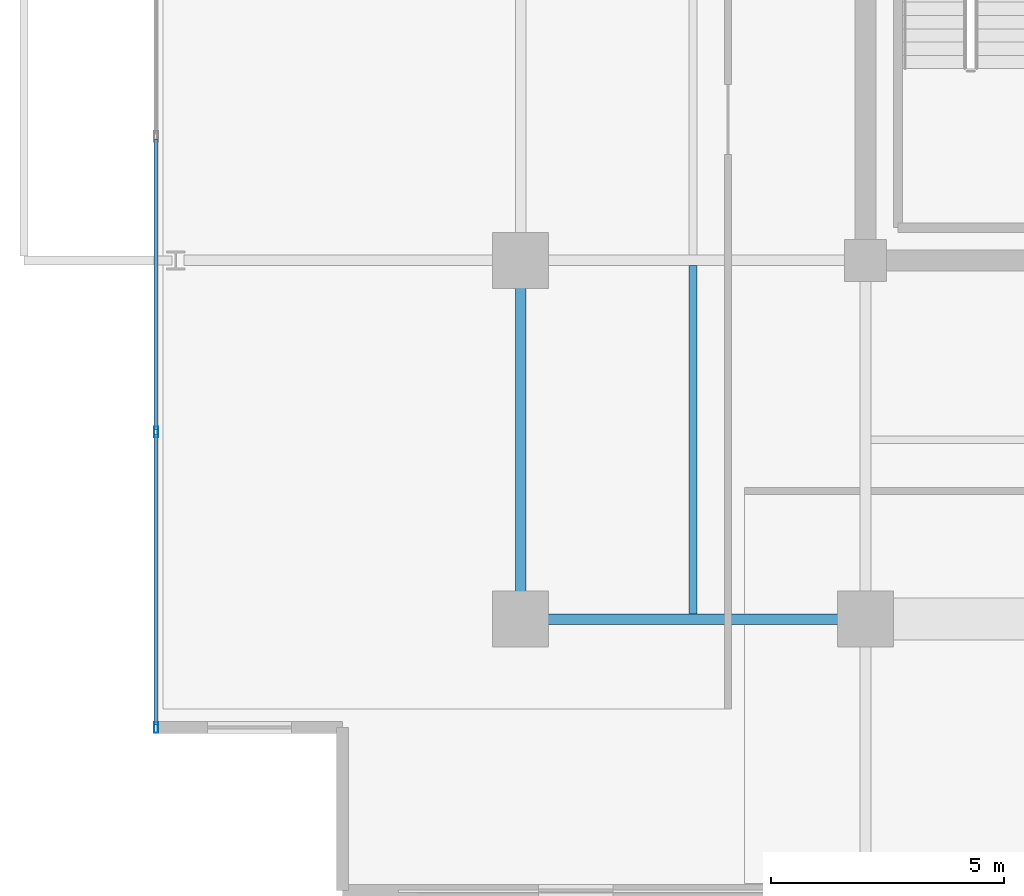
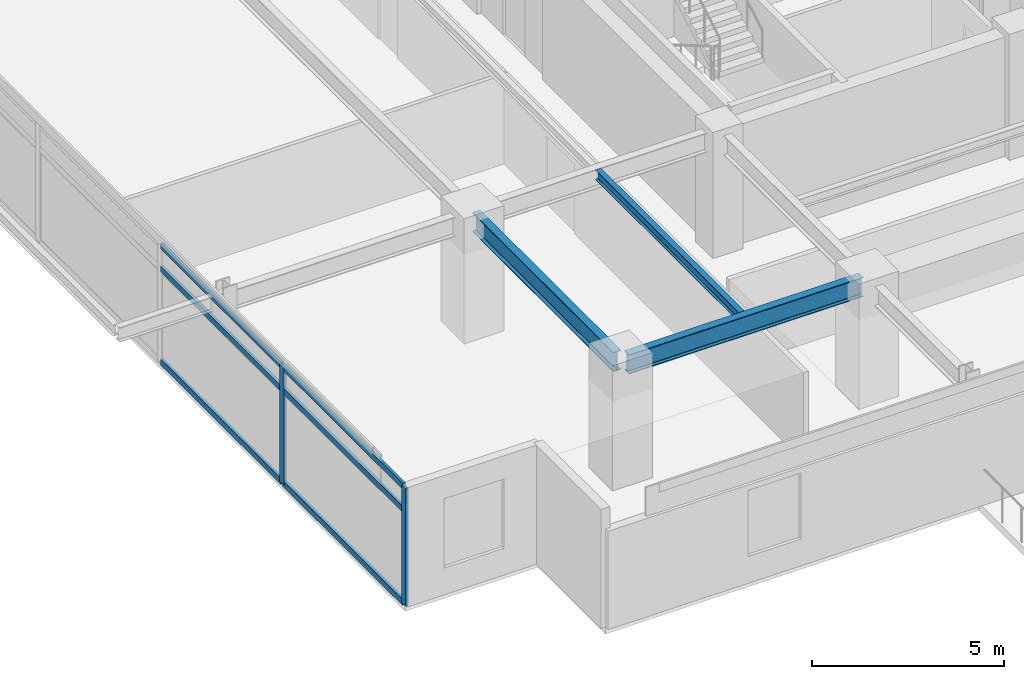
# One storey, part 2 of 23: 8 members, 3 beams, 1 element without a shape of its own.
"""IFC4 building model written with IfcOpenShell, lengths in metres."""

from ifc_helpers import new_model, si_unit, direction, frame, origin, origin_2d, place, context, subcontext, project, spatial, hollow_rectangle, i_section, extrude, material, material_profile, profile_set, type_object, element, aggregate, save


model = new_model("IFC4")

# Units and contexts
model_context = context("Model", 3, precision=1e-05, world=origin(), true_north=direction((0.0, 1.0)))
body_context = subcontext(model_context, "Body", "Model", "MODEL_VIEW")
ifc_project = project(units=[si_unit("LENGTHUNIT", "METRE"), si_unit("AREAUNIT", "SQUARE_METRE"), si_unit("VOLUMEUNIT", "CUBIC_METRE"), si_unit("PLANEANGLEUNIT", "RADIAN"), si_unit("MASSUNIT", "GRAM", prefix="KILO")], contexts=[model_context])

# Site, building, storey
site_placement = place(None, origin())
site = spatial("IfcSite", under=ifc_project, at=site_placement, CompositionType="ELEMENT")
building_placement = place(site_placement, origin())
building = spatial("IfcBuilding", under=site, at=building_placement, Name="Kovane Verandah Tower", CompositionType="ELEMENT")
storey_placement = place(building_placement, frame((0.0, 0.0, 267.199951171875)))
storey = spatial("IfcBuildingStorey", under=building, at=storey_placement, Name="L62", CompositionType="ELEMENT", Elevation=267.199951171875)

# Beams
ifc_material_1 = material(Name="Steel S355", Category="steel")
ifc_material_profile_1 = material_profile(ifc_material_1, i_section(OverallWidth=0.230224609375, OverallDepth=0.6171875, WebThickness=0.01318359375, FlangeThickness=0.022216796875, FilletRadius=0.0126953125, at=origin_2d()), Name="UB610x229x140")
ifc_profile_set_1 = profile_set([ifc_material_profile_1], Name="Steel S355")
beam_type_1 = type_object("IfcBeamType", Name="BM-UB610x140", PredefinedType="BEAM", material=ifc_profile_set_1)
beam_1_placement = place(storey_placement, frame((21.780029296875, 10.800048828125, 3.4765625), z_axis=(1.0, 0.0, 0.0), x_axis=(0.0, 1.0, 0.0)))
element("IfcBeam", 1, at=beam_1_placement, inside=storey, type_object=beam_type_1, Name="L62 Primary Tower Girder G-RS1", PredefinedType="BEAM", context=body_context, shape_type="SweptSolid", body=[
    extrude(i_section(OverallWidth=0.230224609375, OverallDepth=0.6171875, WebThickness=0.01318359375, FlangeThickness=0.022216796875, FilletRadius=0.0126953125, at=origin_2d()), origin(), (0.0, 0.0, 1.0), 7.0400390625),
])
beam_2_placement = place(storey_placement, frame((21.60009765625, 10.97998046875, 3.4765625), z_axis=(0.0, 1.0, 0.0), x_axis=(-1.0, 0.0, 0.0)))
element("IfcBeam", 2, at=beam_2_placement, inside=storey, type_object=beam_type_1, Name="L62 Primary Tower Girder G-RW1", PredefinedType="BEAM", context=body_context, shape_type="SweptSolid", body=[
    extrude(i_section(OverallWidth=0.230224609375, OverallDepth=0.6171875, WebThickness=0.01318359375, FlangeThickness=0.022216796875, FilletRadius=0.0126953125, at=origin_2d()), origin(), (0.0, 0.0, 1.0), 7.340087890625),
])

# Curtain wall, members
ifc_material_2 = material(Name="Champagne Anodised Aluminium Frame with Low-E Clear Laminated Glass", Category="aluminium")
curtain_wall_type = type_object("IfcCurtainWallType", Name="CW-SYS-05-HIGH", PredefinedType="NOTDEFINED", material=ifc_material_2)
curtain_wall_placement = place(storey_placement, origin())
curtain_wall = element("IfcCurtainWall", 3, at=curtain_wall_placement, inside=storey, type_object=curtain_wall_type, Name="L62 W Unitised Curtain Wall", PredefinedType="NOTDEFINED")
ifc_material_3 = material(Name="Champagne Anodised Aluminium 6063-T6", Category="aluminium")
ifc_material_profile_2 = material_profile(ifc_material_3, hollow_rectangle(XDim=0.0849609375, YDim=0.22998046875, WallThickness=0.00390625, at=origin_2d()), Name="AL85x230x4")
ifc_profile_set_2 = profile_set([ifc_material_profile_2], Name="Champagne Anodised Aluminium 6063-T6")
member_type_1 = type_object("IfcMemberType", Name="CW-MUL-85x230", PredefinedType="MULLION", material=ifc_profile_set_2)
member_1_placement = place(storey_placement, frame((13.779296875, 14.817626953125, 0.02001953125), z_axis=(0.0, 0.0, 1.0), x_axis=(-1.0, 0.0, 0.0)))
member_1 = element("IfcMember", 4, at=member_1_placement, type_object=member_type_1, Name="L62 W Unitised Curtain Wall Mullion 6", PredefinedType="MULLION", context=body_context, shape_type="SweptSolid", body=[
    extrude(hollow_rectangle(XDim=0.0849609375, YDim=0.22998046875, WallThickness=0.00390625, at=origin_2d()), origin(), (0.0, 0.0, 1.0), 3.7451171875),
])
member_2_placement = place(storey_placement, frame((13.779296875, 8.4765625, 0.02001953125), z_axis=(0.0, 0.0, 1.0), x_axis=(-1.0, 0.0, 0.0)))
member_2 = element("IfcMember", 5, at=member_2_placement, type_object=member_type_1, Name="L62 W Unitised Curtain Wall Mullion 7", PredefinedType="MULLION", context=body_context, shape_type="SweptSolid", body=[
    extrude(hollow_rectangle(XDim=0.0849609375, YDim=0.22998046875, WallThickness=0.00390625, at=origin_2d()), origin(), (0.0, 0.0, 1.0), 3.7451171875),
])
ifc_material_profile_3 = material_profile(ifc_material_3, hollow_rectangle(XDim=0.0849609375, YDim=0.18994140625, WallThickness=0.00390625, at=origin_2d()), Name="AL85x190x4")
ifc_profile_set_3 = profile_set([ifc_material_profile_3], Name="Champagne Anodised Aluminium 6063-T6")
member_type_2 = type_object("IfcMemberType", Name="CW-TRN-85x190", PredefinedType="USERDEFINED", material=ifc_profile_set_3)
member_3_placement = place(storey_placement, frame((13.779296875, 21.10888671875, 0.050048828125), z_axis=(0.0, -1.0, 0.0), x_axis=(1.0, 0.0, 0.0)))
member_3 = element("IfcMember", 6, at=member_3_placement, type_object=member_type_2, Name="L62 W Unitised Curtain Wall Transom TB Bay 5", ObjectType="TRANSOM", PredefinedType="USERDEFINED", context=body_context, shape_type="SweptSolid", body=[
    extrude(hollow_rectangle(XDim=0.0849609375, YDim=0.18994140625, WallThickness=0.00390625, at=origin_2d()), origin(), (0.0, 0.0, 1.0), 6.2412109375),
])
member_4_placement = place(storey_placement, frame((13.779296875, 21.10888671875, 3.005126953125), z_axis=(0.0, -1.0, 0.0), x_axis=(1.0, 0.0, 0.0)))
member_4 = element("IfcMember", 7, at=member_4_placement, type_object=member_type_2, Name="L62 W Unitised Curtain Wall Transom TM Bay 5", ObjectType="TRANSOM", PredefinedType="USERDEFINED", context=body_context, shape_type="SweptSolid", body=[
    extrude(hollow_rectangle(XDim=0.0849609375, YDim=0.18994140625, WallThickness=0.00390625, at=origin_2d()), origin(), (0.0, 0.0, 1.0), 6.2412109375),
])
member_5_placement = place(storey_placement, frame((13.779296875, 21.10888671875, 3.735107421875), z_axis=(0.0, -1.0, 0.0), x_axis=(1.0, 0.0, 0.0)))
member_5 = element("IfcMember", 8, at=member_5_placement, type_object=member_type_2, Name="L62 W Unitised Curtain Wall Transom TT Bay 5", ObjectType="TRANSOM", PredefinedType="USERDEFINED", context=body_context, shape_type="SweptSolid", body=[
    extrude(hollow_rectangle(XDim=0.0849609375, YDim=0.18994140625, WallThickness=0.00390625, at=origin_2d()), origin(), (0.0, 0.0, 1.0), 6.2412109375),
])
member_6_placement = place(storey_placement, frame((13.779296875, 14.767578125, 0.050048828125), z_axis=(0.0, -1.0, 0.0), x_axis=(1.0, 0.0, 0.0)))
member_6 = element("IfcMember", 9, at=member_6_placement, type_object=member_type_2, Name="L62 W Unitised Curtain Wall Transom TB Bay 6", ObjectType="TRANSOM", PredefinedType="USERDEFINED", context=body_context, shape_type="SweptSolid", body=[
    extrude(hollow_rectangle(XDim=0.0849609375, YDim=0.18994140625, WallThickness=0.00390625, at=origin_2d()), origin(), (0.0, 0.0, 1.0), 6.240966796875),
])
member_7_placement = place(storey_placement, frame((13.779296875, 14.767578125, 3.005126953125), z_axis=(0.0, -1.0, 0.0), x_axis=(1.0, 0.0, 0.0)))
member_7 = element("IfcMember", 10, at=member_7_placement, type_object=member_type_2, Name="L62 W Unitised Curtain Wall Transom TM Bay 6", ObjectType="TRANSOM", PredefinedType="USERDEFINED", context=body_context, shape_type="SweptSolid", body=[
    extrude(hollow_rectangle(XDim=0.0849609375, YDim=0.18994140625, WallThickness=0.00390625, at=origin_2d()), origin(), (0.0, 0.0, 1.0), 6.240966796875),
])
member_8_placement = place(storey_placement, frame((13.779296875, 14.767578125, 3.735107421875), z_axis=(0.0, -1.0, 0.0), x_axis=(1.0, 0.0, 0.0)))
member_8 = element("IfcMember", 11, at=member_8_placement, type_object=member_type_2, Name="L62 W Unitised Curtain Wall Transom TT Bay 6", ObjectType="TRANSOM", PredefinedType="USERDEFINED", context=body_context, shape_type="SweptSolid", body=[
    extrude(hollow_rectangle(XDim=0.0849609375, YDim=0.18994140625, WallThickness=0.00390625, at=origin_2d()), origin(), (0.0, 0.0, 1.0), 6.240966796875),
])
aggregate(curtain_wall, [member_1, member_2, member_3, member_4, member_5, member_6, member_7, member_8])

# Beam
ifc_material_profile_4 = material_profile(ifc_material_1, i_section(OverallWidth=0.1669921875, OverallDepth=0.310302734375, WebThickness=0.0078125, FlangeThickness=0.013671875, FilletRadius=0.0087890625, at=origin_2d()), Name="UB305x165x54")
ifc_profile_set_4 = profile_set([ifc_material_profile_4], Name="Steel S355")
beam_type_2 = type_object("IfcBeamType", Name="JST-UB305x54", PredefinedType="JOIST", material=ifc_profile_set_4)
beam_3_placement = place(storey_placement, frame((25.300048828125, 10.9130859375, 3.6298828125), z_axis=(0.0, 1.0, 0.0), x_axis=(-1.0, 0.0, 0.0)))
element("IfcBeam", 12, at=beam_3_placement, inside=storey, type_object=beam_type_2, Name="L62 Secondary Composite Joist J-SW1", PredefinedType="JOIST", context=body_context, shape_type="SweptSolid", body=[
    extrude(i_section(OverallWidth=0.1669921875, OverallDepth=0.310302734375, WebThickness=0.0078125, FlangeThickness=0.013671875, FilletRadius=0.0087890625, at=origin_2d()), origin(), (0.0, 0.0, 1.0), 7.473876953125),
])

save(model, "model.ifc")
